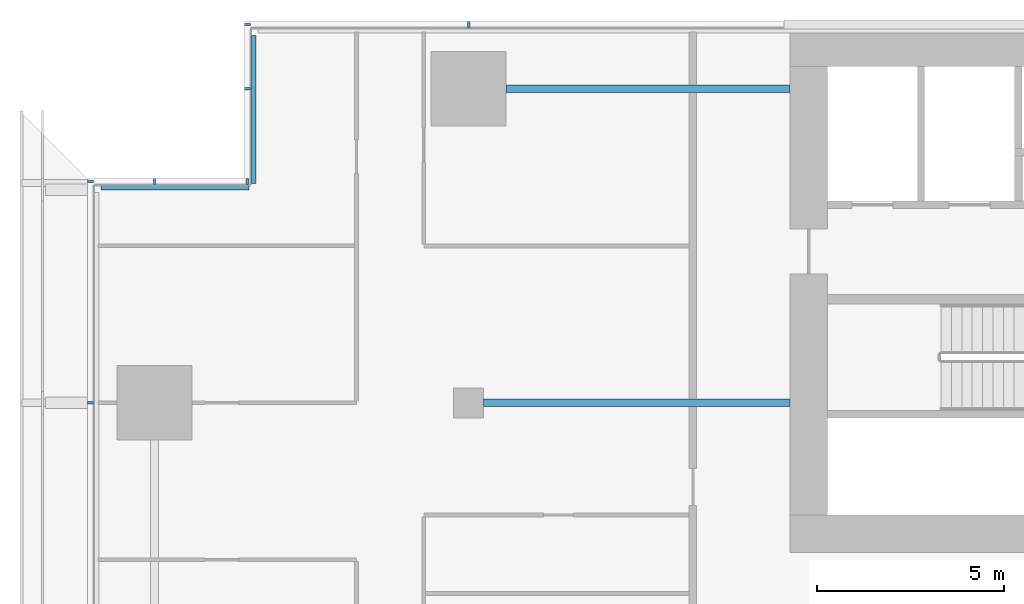
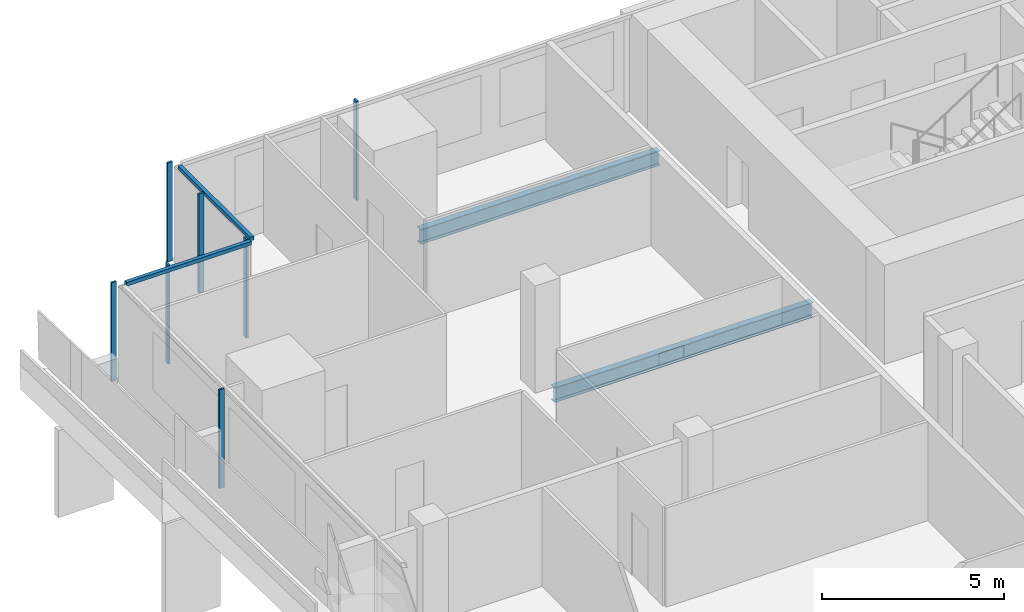
# One storey, part 8 of 27: 9 members, 2 beams, 4 elements without a shape of their own.
"""IFC4 building model written with IfcOpenShell, lengths in metres."""

import ifcopenshell
import ifcopenshell.guid

model = None  # the IFC model being written
_history = None  # IfcOwnerHistory: only IFC2X3 demands one
_inside = {}  # id of a spatial element -> (the spatial element, [elements in it])
_under = {}  # id of a project, library or spatial element -> (it, [spatial elements below it])
_declared = {}  # id of a project -> (the project, [libraries it declares])
_typed = {}  # id of a type object -> (the type object, [elements of that type])
_made_of = {}  # id of a material, layer set ... -> (it, [elements and type objects made of it])


def new_model(schema):
    """Start an empty IFC model of exactly this schema.

    Asked for "IFC4X3", IfcOpenShell would pick the latest addendum, in which some entities
    have other attributes; the version numbers below select the first issue.
    IFC2X3 requires an IfcOwnerHistory on every rooted entity: one is made here for all.
    """
    global model, _history
    if schema == "IFC4X3":
        model = ifcopenshell.file(schema_version=(4, 3, 0, 0))
    else:
        model = ifcopenshell.file(schema=schema)
    _inside.clear()
    _under.clear()
    _declared.clear()
    _typed.clear()
    _made_of.clear()
    _history = None
    if model.schema == "IFC2X3":
        org = make("IfcOrganization", Name="unknown")
        user = make(
            "IfcPersonAndOrganization",
            ThePerson=make("IfcPerson", FamilyName="unknown"),
            TheOrganization=org,
        )
        app = make(
            "IfcApplication",
            ApplicationDeveloper=org,
            Version="unknown",
            ApplicationFullName="unknown",
            ApplicationIdentifier="unknown",
        )
        _history = make(
            "IfcOwnerHistory",
            OwningUser=user,
            OwningApplication=app,
            ChangeAction="ADDED",
            CreationDate=0,
        )
    return model


def make(cls, **values):
    """One entity of the class cls with the attributes given. An attribute that is None is left unset."""
    return model.create_entity(
        cls, **{name: value for name, value in values.items() if value is not None}
    )


def rooted(cls, **values):
    """An entity with a GlobalId (a new one), such as an element, a storey or a relation."""
    return make(cls, GlobalId=ifcopenshell.guid.new(), OwnerHistory=_history, **values)


def si_unit(unit_type, name, prefix=None):
    """IfcSIUnit, for example si_unit("LENGTHUNIT", "METRE", prefix="MILLI")."""
    return make("IfcSIUnit", UnitType=unit_type, Prefix=prefix, Name=name)


def assignment(units):
    """IfcUnitAssignment: the units of a project."""
    return None if units is None else make("IfcUnitAssignment", Units=units)


def point(xyz):
    """IfcCartesianPoint."""
    return None if xyz is None else make("IfcCartesianPoint", Coordinates=xyz)


def direction(xyz):
    """IfcDirection."""
    return None if xyz is None else make("IfcDirection", DirectionRatios=xyz)


def frame(location, z_axis=None, x_axis=None):
    """IfcAxis2Placement3D, a coordinate frame: its origin and axes. An axis left out is left unset."""
    return make(
        "IfcAxis2Placement3D",
        Location=point(location),
        Axis=direction(z_axis),
        RefDirection=direction(x_axis),
    )


def frame_2d(location, x_axis=None):
    """IfcAxis2Placement2D, a coordinate frame in the plane: its origin and x axis."""
    return make(
        "IfcAxis2Placement2D", Location=point(location), RefDirection=direction(x_axis)
    )


def origin():
    """The frame at (0, 0, 0) with its axes left unset."""
    return frame((0.0, 0.0, 0.0))


def origin_2d():
    """The frame at (0, 0) in the plane with its x axis left unset."""
    return frame_2d((0.0, 0.0))


def place(relative_to, where):
    """IfcLocalPlacement: puts the frame where relative to a parent placement (None: the world)."""
    return make(
        "IfcLocalPlacement", PlacementRelTo=relative_to, RelativePlacement=where
    )


def context(
    kind, dimensions, precision=None, world=None, true_north=None, identifier=None
):
    """IfcGeometricRepresentationContext, for example the 3D "Model" context."""
    return make(
        "IfcGeometricRepresentationContext",
        ContextIdentifier=identifier,
        ContextType=kind,
        CoordinateSpaceDimension=dimensions,
        Precision=precision,
        WorldCoordinateSystem=world,
        TrueNorth=true_north,
    )


def subcontext(parent, identifier, kind, view, scale=None):
    """IfcGeometricRepresentationSubContext, for example "Body" below "Model"."""
    return make(
        "IfcGeometricRepresentationSubContext",
        ContextIdentifier=identifier,
        ContextType=kind,
        ParentContext=parent,
        TargetScale=scale,
        TargetView=view,
    )


def project(units=None, contexts=None):
    """IfcProject with its units and contexts."""
    return rooted(
        "IfcProject",
        Name="project",
        RepresentationContexts=contexts,
        UnitsInContext=assignment(units),
    )


def spatial(cls, under=None, at=None, **own):
    """A site, building, storey or space (cls), placed at a placement, below another one or the project."""
    s = rooted(cls, ObjectPlacement=at, **own)
    if under is not None:
        _under.setdefault(under.id(), (under, []))[1].append(s)
    return s


def profile(cls, at=None, kind="AREA", **sizes):
    """A parametric profile (cls). Its sizes go by their IFC names, for example OverallWidth=200.0."""
    return make(cls, ProfileType=kind, Position=at, **sizes)


def rectangle(**sizes):
    """IfcRectangleProfileDef."""
    return profile("IfcRectangleProfileDef", **sizes)


def i_section(**sizes):
    """IfcIShapeProfileDef."""
    return profile("IfcIShapeProfileDef", **sizes)


def extrude(swept, where, along, depth):
    """IfcExtrudedAreaSolid: the profile swept, set in the frame where, extruded along a direction by depth."""
    return make(
        "IfcExtrudedAreaSolid",
        SweptArea=swept,
        Position=where,
        ExtrudedDirection=direction(along),
        Depth=depth,
    )


def shape(context_of_items, identifier, shape_type, items):
    """IfcShapeRepresentation: the items that make up one representation, for example the "Body"."""
    return make(
        "IfcShapeRepresentation",
        ContextOfItems=context_of_items,
        RepresentationIdentifier=identifier,
        RepresentationType=shape_type,
        Items=items,
    )


def material(Name=None, Category=None):
    """IfcMaterial."""
    return make("IfcMaterial", Name=Name, Category=Category)


def material_profile(
    of_material, cross_section, Name=None, Category=None, Priority=None
):
    """IfcMaterialProfile: a cross section and its material."""
    return make(
        "IfcMaterialProfile",
        Name=Name,
        Material=of_material,
        Profile=cross_section,
        Priority=Priority,
        Category=Category,
    )


def profile_set(profiles, Name=None, composite=None):
    """IfcMaterialProfileSet."""
    return make(
        "IfcMaterialProfileSet",
        Name=Name,
        MaterialProfiles=profiles,
        CompositeProfile=composite,
    )


def made_of(thing, what):
    """Note that an element or type object is made of a material, layer set ...; save() writes the relation."""
    if what is not None:
        _made_of.setdefault(what.id(), (what, []))[1].append(thing)
    return thing


def type_object(cls, material=None, **own):
    """A type object (cls), such as IfcWallType, which elements share."""
    return made_of(rooted(cls, **own), material)


def element(
    cls,
    number,
    at=None,
    inside=None,
    cuts=None,
    type_object=None,
    material=None,
    context=None,
    identifier="Body",
    shape_type=None,
    held_by="IfcProductDefinitionShape",
    body=None,
    shapes=None,
    **own,
):
    """One element of the class cls, such as IfcWall. Its Tag is "e" and its number.

    at: its placement. inside: the storey or other place that contains it. cuts: it is an
    opening in that element (IfcRelVoidsElement). A single representation is given by context,
    identifier, shape_type and body (its items); several are given by shapes. held_by: the class
    of the entity that holds the representations. save() writes the other relations.
    """
    e = rooted(cls, Tag="e%d" % number, ObjectPlacement=at, **own)
    if body is not None:
        shapes = [shape(context, identifier, shape_type, body)]
    if shapes is not None:
        e.Representation = make(held_by, Representations=shapes)
    if inside is not None:
        _inside.setdefault(inside.id(), (inside, []))[1].append(e)
    if cuts is not None:
        rooted(
            "IfcRelVoidsElement", RelatingBuildingElement=cuts, RelatedOpeningElement=e
        )
    if type_object is not None:
        _typed.setdefault(type_object.id(), (type_object, []))[1].append(e)
    return made_of(e, material)


def aggregate(whole, parts):
    """IfcRelAggregates: a whole, such as a stair, and the parts it consists of."""
    return rooted("IfcRelAggregates", RelatingObject=whole, RelatedObjects=parts)


def save(model, path):
    """Write the relations noted so far, then the file.

    IfcRelAggregates (storeys below a building ...), IfcRelContainedInSpatialStructure (elements
    in a storey), IfcRelDefinesByType, IfcRelAssociatesMaterial and IfcRelDeclares: one each for
    every whole, place, type object, material and project.
    """
    for whole, parts in _under.values():
        aggregate(whole, parts)
    for where, things in _inside.values():
        rooted(
            "IfcRelContainedInSpatialStructure",
            RelatedElements=things,
            RelatingStructure=where,
        )
    for kind, things in _typed.values():
        rooted("IfcRelDefinesByType", RelatedObjects=things, RelatingType=kind)
    for what, things in _made_of.values():
        rooted("IfcRelAssociatesMaterial", RelatedObjects=things, RelatingMaterial=what)
    for by, libraries in _declared.values():
        rooted("IfcRelDeclares", RelatingContext=by, RelatedDefinitions=libraries)
    model.write(path)


model = new_model("IFC4")

# Units and contexts
model_context = context("Model", 3, precision=1e-05, world=origin(), true_north=direction((0.0, 1.0)))
body_context = subcontext(model_context, "Body", "Model", "MODEL_VIEW")
ifc_project = project(units=[si_unit("LENGTHUNIT", "METRE"), si_unit("AREAUNIT", "SQUARE_METRE"), si_unit("VOLUMEUNIT", "CUBIC_METRE"), si_unit("PLANEANGLEUNIT", "RADIAN"), si_unit("MASSUNIT", "GRAM", prefix="KILO")], contexts=[model_context])

# Site, building, storey
site_placement = place(None, origin())
site = spatial("IfcSite", under=ifc_project, at=site_placement, CompositionType="ELEMENT")
building_placement = place(site_placement, origin())
building = spatial("IfcBuilding", under=site, at=building_placement, Name="Saffron Gate Tower", CompositionType="ELEMENT")
storey_placement = place(building_placement, frame((0.0, 0.0, 109.64990234375)))
storey = spatial("IfcBuildingStorey", under=building, at=storey_placement, Name="L25", CompositionType="ELEMENT", Elevation=109.64990234375)

# Beams
ifc_material_1 = material(Name="Structural steel S355", Category="steel")
ifc_material_profile_1 = material_profile(ifc_material_1, i_section(OverallWidth=0.199951171875, OverallDepth=0.5, WebThickness=0.01025390625, FlangeThickness=0.01611328125, FilletRadius=0.02099609375, at=origin_2d()))
ifc_profile_set_1 = profile_set([ifc_material_profile_1], Name="Structural steel S355")
beam_type = type_object("IfcBeamType", Name="B10 IPE 500", PredefinedType="BEAM", material=ifc_profile_set_1)
beam_1_placement = place(storey_placement, frame((58.60009765625, 65.39990234375, -0.52978515625), z_axis=(1.0, 0.0, 0.0), x_axis=(0.0, 1.0, 0.0)))
element("IfcBeam", 1, at=beam_1_placement, inside=storey, type_object=beam_type, Name="B10 CORE TIE BEAM", PredefinedType="BEAM", context=body_context, shape_type="SweptSolid", body=[
    extrude(i_section(OverallWidth=0.199951171875, OverallDepth=0.5, WebThickness=0.01025390625, FlangeThickness=0.01611328125, FilletRadius=0.02099609375, at=origin_2d()), origin(), (0.0, 0.0, 1.0), 8.199951171875),
])
beam_2_placement = place(storey_placement, frame((59.199951171875, 73.800048828125, -0.52978515625), z_axis=(1.0, 0.0, 0.0), x_axis=(0.0, 1.0, 0.0)))
element("IfcBeam", 2, at=beam_2_placement, inside=storey, type_object=beam_type, Name="B10 CORE TIE BEAM", PredefinedType="BEAM", context=body_context, shape_type="SweptSolid", body=[
    extrude(i_section(OverallWidth=0.199951171875, OverallDepth=0.5, WebThickness=0.01025390625, FlangeThickness=0.01611328125, FilletRadius=0.02099609375, at=origin_2d()), origin(), (0.0, 0.0, 1.0), 7.60009765625),
])

# Curtain wall, members
ifc_material_2 = material(Name="Aluminium, bronze anodised", Category="aluminium")
curtain_wall_type_1 = type_object("IfcCurtainWallType", Name="CWS2 curtain wall side facades", PredefinedType="NOTDEFINED", material=ifc_material_2)
curtain_wall_1_placement = place(storey_placement, origin())
curtain_wall_1 = element("IfcCurtainWall", 3, at=curtain_wall_1_placement, inside=storey, type_object=curtain_wall_type_1, Name="CWS2 run 10", PredefinedType="NOTDEFINED")
ifc_material_profile_2 = material_profile(ifc_material_2, rectangle(XDim=0.159912109375, YDim=0.06005859375, at=origin_2d()))
ifc_profile_set_2 = profile_set([ifc_material_profile_2], Name="Aluminium, bronze anodised")
member_type_1 = type_object("IfcMemberType", Name="CWS2 mullion 60x160", PredefinedType="MULLION", material=ifc_profile_set_2)
member_1_placement = place(storey_placement, frame((48.080078125, 71.320068359375, 0.0), z_axis=(0.0, 0.0, 1.0), x_axis=(1.0, 0.0, 0.0)))
member_1 = element("IfcMember", 4, at=member_1_placement, type_object=member_type_1, Name="CWS2 mullion 1", PredefinedType="MULLION", context=body_context, shape_type="SweptSolid", body=[
    extrude(rectangle(XDim=0.159912109375, YDim=0.06005859375, at=origin_2d()), origin(), (0.0, 0.0, 1.0), 3.320068359375),
])
member_2_placement = place(storey_placement, frame((48.080078125, 65.39990234375, 0.0), z_axis=(0.0, 0.0, 1.0), x_axis=(1.0, 0.0, 0.0)))
member_2 = element("IfcMember", 5, at=member_2_placement, type_object=member_type_1, Name="CWS2 mullion 2", PredefinedType="MULLION", context=body_context, shape_type="SweptSolid", body=[
    extrude(rectangle(XDim=0.159912109375, YDim=0.06005859375, at=origin_2d()), origin(), (0.0, 0.0, 1.0), 3.320068359375),
])
aggregate(curtain_wall_1, [member_1, member_2])

# Curtain wall, member
curtain_wall_type_2 = type_object("IfcCurtainWallType", Name="CWS3 curtain wall rear facade", PredefinedType="NOTDEFINED", material=ifc_material_2)
curtain_wall_2_placement = place(storey_placement, origin())
curtain_wall_2 = element("IfcCurtainWall", 6, at=curtain_wall_2_placement, inside=storey, type_object=curtain_wall_type_2, Name="CWS3 run 7", PredefinedType="NOTDEFINED")
ifc_material_profile_3 = material_profile(ifc_material_2, rectangle(XDim=0.159912109375, YDim=0.070068359375, at=origin_2d()))
ifc_profile_set_3 = profile_set([ifc_material_profile_3], Name="Aluminium, bronze anodised")
member_type_2 = type_object("IfcMemberType", Name="CWS3 mullion 70x160", PredefinedType="MULLION", material=ifc_profile_set_3)
member_3_placement = place(storey_placement, frame((58.199951171875, 75.52001953125, 0.0), z_axis=(0.0, 0.0, 1.0), x_axis=(0.0, -1.0, 0.0)))
member_3 = element("IfcMember", 7, at=member_3_placement, type_object=member_type_2, Name="CWS3 mullion 9", PredefinedType="MULLION", context=body_context, shape_type="SweptSolid", body=[
    extrude(rectangle(XDim=0.159912109375, YDim=0.070068359375, at=origin_2d()), origin(), (0.0, 0.0, 1.0), 3.320068359375),
])
aggregate(curtain_wall_2, [member_3])

curtain_wall_type_3 = type_object("IfcCurtainWallType", Name="CWS4 curtain wall corner returns", PredefinedType="NOTDEFINED", material=ifc_material_2)
curtain_wall_3_placement = place(storey_placement, origin())
curtain_wall_3 = element("IfcCurtainWall", 8, at=curtain_wall_3_placement, inside=storey, type_object=curtain_wall_type_3, Name="CWS4 run 8", PredefinedType="NOTDEFINED")
ifc_material_profile_4 = material_profile(ifc_material_2, rectangle(XDim=0.1201171875, YDim=0.1201171875, at=origin_2d()))
ifc_profile_set_4 = profile_set([ifc_material_profile_4], Name="Aluminium, bronze anodised")
member_type_3 = type_object("IfcMemberType", Name="CWS4 head transom", PredefinedType="USERDEFINED", material=ifc_profile_set_4)
member_4_placement = place(storey_placement, frame((52.447998046875, 75.23193359375, 3.260009765625), z_axis=(0.0, -1.0, 0.0), x_axis=(1.0, 0.0, 0.0)))
member_4 = element("IfcMember", 9, at=member_4_placement, type_object=member_type_3, Name="CWS4 head transom", ObjectType="TRANSOM", PredefinedType="USERDEFINED", context=body_context, shape_type="SweptSolid", body=[
    extrude(rectangle(XDim=0.1201171875, YDim=0.1201171875, at=origin_2d()), origin(), (0.0, 0.0, 1.0), 3.9599609375),
])

curtain_wall_4_placement = place(storey_placement, origin())
curtain_wall_4 = element("IfcCurtainWall", 10, at=curtain_wall_4_placement, inside=storey, type_object=curtain_wall_type_3, Name="CWS4 run 9", PredefinedType="NOTDEFINED")
member_5_placement = place(storey_placement, frame((52.327880859375, 71.152099609375, 3.260009765625), z_axis=(-1.0, 0.0, 0.0), x_axis=(0.0, -1.0, 0.0)))
member_5 = element("IfcMember", 11, at=member_5_placement, type_object=member_type_3, Name="CWS4 head transom", ObjectType="TRANSOM", PredefinedType="USERDEFINED", context=body_context, shape_type="SweptSolid", body=[
    extrude(rectangle(XDim=0.1201171875, YDim=0.1201171875, at=origin_2d()), origin(), (0.0, 0.0, 1.0), 3.9599609375),
])

# Member
ifc_material_profile_5 = material_profile(ifc_material_2, rectangle(XDim=0.159912109375, YDim=0.06005859375, at=origin_2d()))
ifc_profile_set_5 = profile_set([ifc_material_profile_5], Name="Aluminium, bronze anodised")
member_type_4 = type_object("IfcMemberType", Name="CWS4 mullion 60x160", PredefinedType="MULLION", material=ifc_profile_set_5)
member_6_placement = place(storey_placement, frame((52.280029296875, 75.52001953125, 0.0), z_axis=(0.0, 0.0, 1.0), x_axis=(1.0, 0.0, 0.0)))
member_6 = element("IfcMember", 12, at=member_6_placement, type_object=member_type_4, Name="CWS4 mullion 1", PredefinedType="MULLION", context=body_context, shape_type="SweptSolid", body=[
    extrude(rectangle(XDim=0.159912109375, YDim=0.06005859375, at=origin_2d()), origin(), (0.0, 0.0, 1.0), 3.320068359375),
])

member_7_placement = place(storey_placement, frame((52.280029296875, 73.800048828125, 0.0), z_axis=(0.0, 0.0, 1.0), x_axis=(1.0, 0.0, 0.0)))
member_7 = element("IfcMember", 13, at=member_7_placement, type_object=member_type_4, Name="CWS4 mullion 2", PredefinedType="MULLION", context=body_context, shape_type="SweptSolid", body=[
    extrude(rectangle(XDim=0.159912109375, YDim=0.06005859375, at=origin_2d()), origin(), (0.0, 0.0, 1.0), 3.320068359375),
])

aggregate(curtain_wall_3, [member_6, member_7, member_4])

member_8_placement = place(storey_placement, frame((52.280029296875, 71.320068359375, 0.0), z_axis=(0.0, 0.0, 1.0), x_axis=(0.0, -1.0, 0.0)))
member_8 = element("IfcMember", 14, at=member_8_placement, type_object=member_type_4, Name="CWS4 mullion 1", PredefinedType="MULLION", context=body_context, shape_type="SweptSolid", body=[
    extrude(rectangle(XDim=0.159912109375, YDim=0.06005859375, at=origin_2d()), origin(), (0.0, 0.0, 1.0), 3.320068359375),
])

member_9_placement = place(storey_placement, frame((49.800048828125, 71.320068359375, 0.0), z_axis=(0.0, 0.0, 1.0), x_axis=(0.0, -1.0, 0.0)))
member_9 = element("IfcMember", 15, at=member_9_placement, type_object=member_type_4, Name="CWS4 mullion 2", PredefinedType="MULLION", context=body_context, shape_type="SweptSolid", body=[
    extrude(rectangle(XDim=0.159912109375, YDim=0.06005859375, at=origin_2d()), origin(), (0.0, 0.0, 1.0), 3.320068359375),
])

aggregate(curtain_wall_4, [member_8, member_9, member_5])

save(model, "model.ifc")
